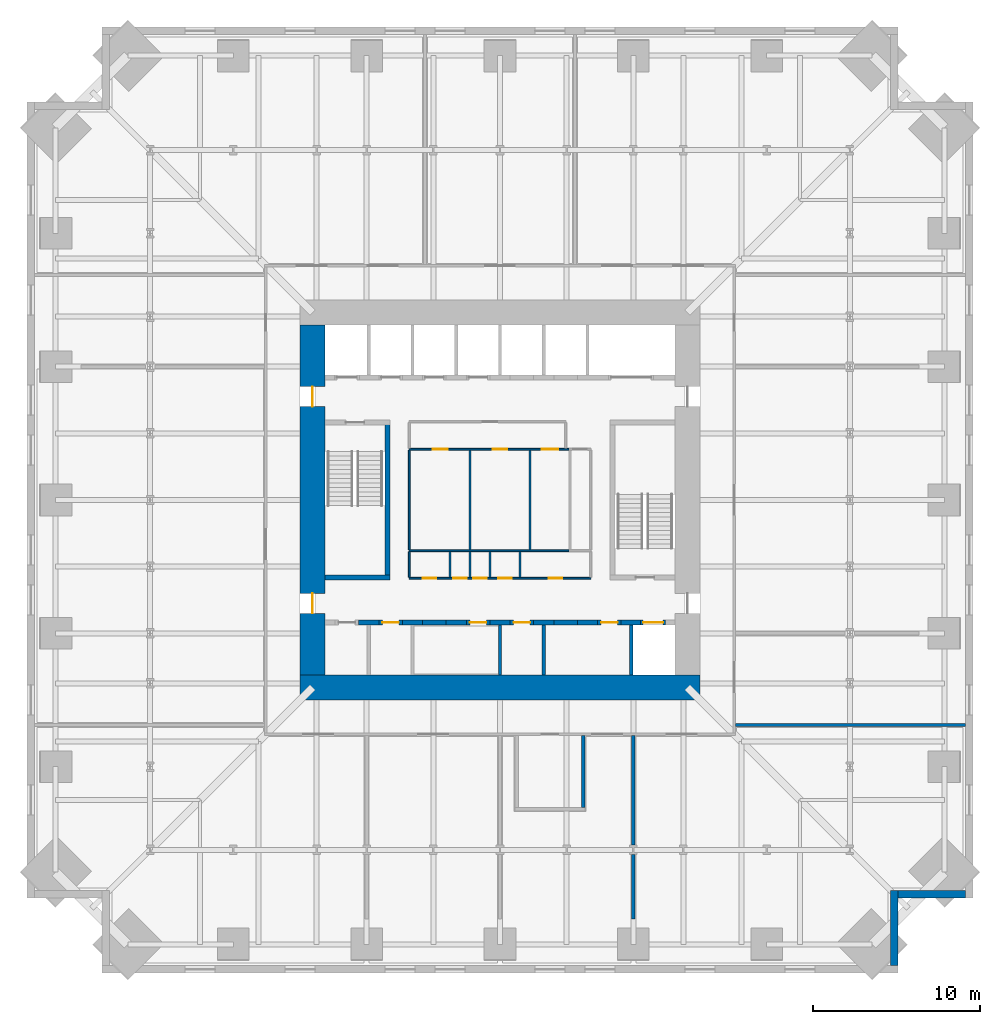
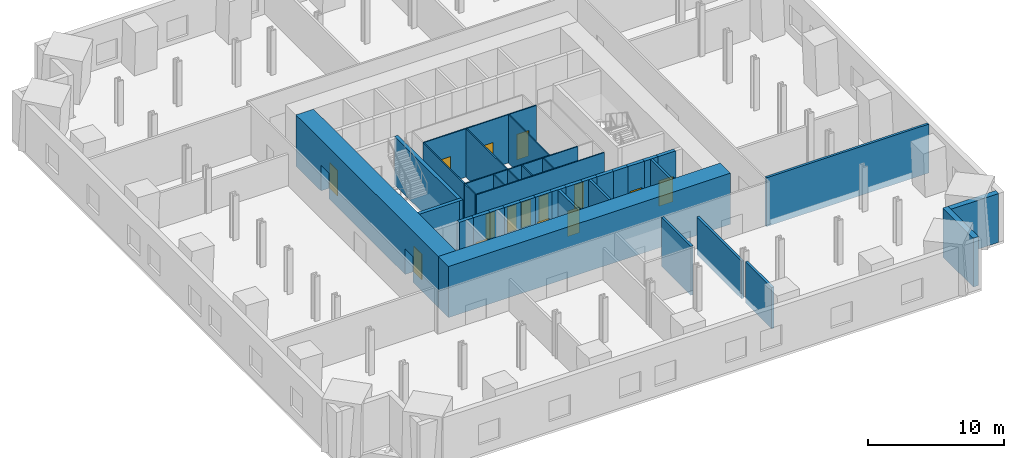
# One storey, part 4 of 8: 38 walls, 15 doors, 15 openings.
"""IFC4 building model written with IfcOpenShell, lengths in metres."""

import ifcopenshell
import ifcopenshell.guid

model = None  # the IFC model being written
_history = None  # IfcOwnerHistory: only IFC2X3 demands one
_inside = {}  # id of a spatial element -> (the spatial element, [elements in it])
_under = {}  # id of a project, library or spatial element -> (it, [spatial elements below it])
_declared = {}  # id of a project -> (the project, [libraries it declares])
_typed = {}  # id of a type object -> (the type object, [elements of that type])
_made_of = {}  # id of a material, layer set ... -> (it, [elements and type objects made of it])


def new_model(schema):
    """Start an empty IFC model of exactly this schema.

    Asked for "IFC4X3", IfcOpenShell would pick the latest addendum, in which some entities
    have other attributes; the version numbers below select the first issue.
    IFC2X3 requires an IfcOwnerHistory on every rooted entity: one is made here for all.
    """
    global model, _history
    if schema == "IFC4X3":
        model = ifcopenshell.file(schema_version=(4, 3, 0, 0))
    else:
        model = ifcopenshell.file(schema=schema)
    _inside.clear()
    _under.clear()
    _declared.clear()
    _typed.clear()
    _made_of.clear()
    _history = None
    if model.schema == "IFC2X3":
        org = make("IfcOrganization", Name="unknown")
        user = make(
            "IfcPersonAndOrganization",
            ThePerson=make("IfcPerson", FamilyName="unknown"),
            TheOrganization=org,
        )
        app = make(
            "IfcApplication",
            ApplicationDeveloper=org,
            Version="unknown",
            ApplicationFullName="unknown",
            ApplicationIdentifier="unknown",
        )
        _history = make(
            "IfcOwnerHistory",
            OwningUser=user,
            OwningApplication=app,
            ChangeAction="ADDED",
            CreationDate=0,
        )
    return model


def make(cls, **values):
    """One entity of the class cls with the attributes given. An attribute that is None is left unset."""
    return model.create_entity(
        cls, **{name: value for name, value in values.items() if value is not None}
    )


def rooted(cls, **values):
    """An entity with a GlobalId (a new one), such as an element, a storey or a relation."""
    return make(cls, GlobalId=ifcopenshell.guid.new(), OwnerHistory=_history, **values)


def si_unit(unit_type, name, prefix=None):
    """IfcSIUnit, for example si_unit("LENGTHUNIT", "METRE", prefix="MILLI")."""
    return make("IfcSIUnit", UnitType=unit_type, Prefix=prefix, Name=name)


def assignment(units):
    """IfcUnitAssignment: the units of a project."""
    return None if units is None else make("IfcUnitAssignment", Units=units)


def point(xyz):
    """IfcCartesianPoint."""
    return None if xyz is None else make("IfcCartesianPoint", Coordinates=xyz)


def direction(xyz):
    """IfcDirection."""
    return None if xyz is None else make("IfcDirection", DirectionRatios=xyz)


def frame(location, z_axis=None, x_axis=None):
    """IfcAxis2Placement3D, a coordinate frame: its origin and axes. An axis left out is left unset."""
    return make(
        "IfcAxis2Placement3D",
        Location=point(location),
        Axis=direction(z_axis),
        RefDirection=direction(x_axis),
    )


def frame_2d(location, x_axis=None):
    """IfcAxis2Placement2D, a coordinate frame in the plane: its origin and x axis."""
    return make(
        "IfcAxis2Placement2D", Location=point(location), RefDirection=direction(x_axis)
    )


def origin():
    """The frame at (0, 0, 0) with its axes left unset."""
    return frame((0.0, 0.0, 0.0))


def place(relative_to, where):
    """IfcLocalPlacement: puts the frame where relative to a parent placement (None: the world)."""
    return make(
        "IfcLocalPlacement", PlacementRelTo=relative_to, RelativePlacement=where
    )


def context(
    kind, dimensions, precision=None, world=None, true_north=None, identifier=None
):
    """IfcGeometricRepresentationContext, for example the 3D "Model" context."""
    return make(
        "IfcGeometricRepresentationContext",
        ContextIdentifier=identifier,
        ContextType=kind,
        CoordinateSpaceDimension=dimensions,
        Precision=precision,
        WorldCoordinateSystem=world,
        TrueNorth=true_north,
    )


def subcontext(parent, identifier, kind, view, scale=None):
    """IfcGeometricRepresentationSubContext, for example "Body" below "Model"."""
    return make(
        "IfcGeometricRepresentationSubContext",
        ContextIdentifier=identifier,
        ContextType=kind,
        ParentContext=parent,
        TargetScale=scale,
        TargetView=view,
    )


def project(units=None, contexts=None):
    """IfcProject with its units and contexts."""
    return rooted(
        "IfcProject",
        Name="project",
        RepresentationContexts=contexts,
        UnitsInContext=assignment(units),
    )


def spatial(cls, under=None, at=None, **own):
    """A site, building, storey or space (cls), placed at a placement, below another one or the project."""
    s = rooted(cls, ObjectPlacement=at, **own)
    if under is not None:
        _under.setdefault(under.id(), (under, []))[1].append(s)
    return s


def profile(cls, at=None, kind="AREA", **sizes):
    """A parametric profile (cls). Its sizes go by their IFC names, for example OverallWidth=200.0."""
    return make(cls, ProfileType=kind, Position=at, **sizes)


def rectangle(**sizes):
    """IfcRectangleProfileDef."""
    return profile("IfcRectangleProfileDef", **sizes)


def extrude(swept, where, along, depth):
    """IfcExtrudedAreaSolid: the profile swept, set in the frame where, extruded along a direction by depth."""
    return make(
        "IfcExtrudedAreaSolid",
        SweptArea=swept,
        Position=where,
        ExtrudedDirection=direction(along),
        Depth=depth,
    )


def shape(context_of_items, identifier, shape_type, items):
    """IfcShapeRepresentation: the items that make up one representation, for example the "Body"."""
    return make(
        "IfcShapeRepresentation",
        ContextOfItems=context_of_items,
        RepresentationIdentifier=identifier,
        RepresentationType=shape_type,
        Items=items,
    )


def material(Name=None, Category=None):
    """IfcMaterial."""
    return make("IfcMaterial", Name=Name, Category=Category)


def layer(
    of_material, thickness, ventilated=None, Name=None, Category=None, Priority=None
):
    """IfcMaterialLayer: one layer of a wall or slab, of a material (None: an air gap)."""
    return make(
        "IfcMaterialLayer",
        Material=of_material,
        LayerThickness=thickness,
        IsVentilated=ventilated,
        Name=Name,
        Category=Category,
        Priority=Priority,
    )


def layer_set(layers, Name=None):
    """IfcMaterialLayerSet."""
    return make("IfcMaterialLayerSet", MaterialLayers=layers, LayerSetName=Name)


def made_of(thing, what):
    """Note that an element or type object is made of a material, layer set ...; save() writes the relation."""
    if what is not None:
        _made_of.setdefault(what.id(), (what, []))[1].append(thing)
    return thing


def type_object(cls, material=None, **own):
    """A type object (cls), such as IfcWallType, which elements share."""
    return made_of(rooted(cls, **own), material)


def element(
    cls,
    number,
    at=None,
    inside=None,
    cuts=None,
    type_object=None,
    material=None,
    context=None,
    identifier="Body",
    shape_type=None,
    held_by="IfcProductDefinitionShape",
    body=None,
    shapes=None,
    **own,
):
    """One element of the class cls, such as IfcWall. Its Tag is "e" and its number.

    at: its placement. inside: the storey or other place that contains it. cuts: it is an
    opening in that element (IfcRelVoidsElement). A single representation is given by context,
    identifier, shape_type and body (its items); several are given by shapes. held_by: the class
    of the entity that holds the representations. save() writes the other relations.
    """
    e = rooted(cls, Tag="e%d" % number, ObjectPlacement=at, **own)
    if body is not None:
        shapes = [shape(context, identifier, shape_type, body)]
    if shapes is not None:
        e.Representation = make(held_by, Representations=shapes)
    if inside is not None:
        _inside.setdefault(inside.id(), (inside, []))[1].append(e)
    if cuts is not None:
        rooted(
            "IfcRelVoidsElement", RelatingBuildingElement=cuts, RelatedOpeningElement=e
        )
    if type_object is not None:
        _typed.setdefault(type_object.id(), (type_object, []))[1].append(e)
    return made_of(e, material)


def fill(opening, filler):
    """IfcRelFillsElement: the door or window that sits in an opening."""
    return rooted(
        "IfcRelFillsElement",
        RelatingOpeningElement=opening,
        RelatedBuildingElement=filler,
    )


def aggregate(whole, parts):
    """IfcRelAggregates: a whole, such as a stair, and the parts it consists of."""
    return rooted("IfcRelAggregates", RelatingObject=whole, RelatedObjects=parts)


def save(model, path):
    """Write the relations noted so far, then the file.

    IfcRelAggregates (storeys below a building ...), IfcRelContainedInSpatialStructure (elements
    in a storey), IfcRelDefinesByType, IfcRelAssociatesMaterial and IfcRelDeclares: one each for
    every whole, place, type object, material and project.
    """
    for whole, parts in _under.values():
        aggregate(whole, parts)
    for where, things in _inside.values():
        rooted(
            "IfcRelContainedInSpatialStructure",
            RelatedElements=things,
            RelatingStructure=where,
        )
    for kind, things in _typed.values():
        rooted("IfcRelDefinesByType", RelatedObjects=things, RelatingType=kind)
    for what, things in _made_of.values():
        rooted("IfcRelAssociatesMaterial", RelatedObjects=things, RelatingMaterial=what)
    for by, libraries in _declared.values():
        rooted("IfcRelDeclares", RelatingContext=by, RelatedDefinitions=libraries)
    model.write(path)


model = new_model("IFC4")

# Units and contexts
model_context = context("Model", 3, precision=1e-05, world=origin(), true_north=direction((0.0, 1.0)))
body_context = subcontext(model_context, "Body", "Model", "MODEL_VIEW")
ifc_project = project(units=[si_unit("LENGTHUNIT", "METRE"), si_unit("AREAUNIT", "SQUARE_METRE"), si_unit("VOLUMEUNIT", "CUBIC_METRE"), si_unit("PLANEANGLEUNIT", "RADIAN"), si_unit("MASSUNIT", "GRAM", prefix="KILO")], contexts=[model_context])

# Site, building, storey
site_placement = place(None, origin())
site = spatial("IfcSite", under=ifc_project, at=site_placement, CompositionType="ELEMENT")
building_placement = place(site_placement, origin())
building = spatial("IfcBuilding", under=site, at=building_placement, Name="Peilmerk Tower", CompositionType="ELEMENT")
storey_placement = place(building_placement, frame((0.0, 0.0, 104.39990234375)))
storey = spatial("IfcBuildingStorey", under=building, at=storey_placement, Name="L20", CompositionType="ELEMENT", Elevation=104.39990234375)

# Walls
ifc_material_1 = material(Name="Precast concrete C45/55, board-marked finish", Category="concrete")
ifc_layer_1 = layer(ifc_material_1, 0.449951171875)
ifc_layer_set_1 = layer_set([ifc_layer_1], Name="Precast concrete C45/55, board-marked finish")
wall_type_1 = type_object("IfcWallType", Name="EW1 450 precast concrete facade wall, board-marked", PredefinedType="SOLIDWALL", material=ifc_layer_set_1)
wall_1_placement = place(storey_placement, frame((23.675048828125, -23.449951171875, 0.0), z_axis=(0.0, 0.0, 1.0), x_axis=(0.0, -1.0, 0.0)))
element("IfcWall", 1, at=wall_1_placement, inside=storey, type_object=wall_type_1, Name="Facade wall SEA L20", PredefinedType="SOLIDWALL", context=body_context, shape_type="SweptSolid", body=[
    extrude(rectangle(XDim=4.5, YDim=0.449951171875, at=frame_2d((2.25, 0.0))), origin(), (0.0, 0.0, 1.0), 4.400146484375),
])
wall_2_placement = place(storey_placement, frame((23.89990234375, -23.675048828125, 0.0), z_axis=(0.0, 0.0, 1.0), x_axis=(1.0, 0.0, 0.0)))
element("IfcWall", 2, at=wall_2_placement, inside=storey, type_object=wall_type_1, Name="Facade wall SEB L20", PredefinedType="SOLIDWALL", context=body_context, shape_type="SweptSolid", body=[
    extrude(rectangle(XDim=4.050048828125, YDim=0.449951171875, at=frame_2d((2.02490234375, 0.0))), origin(), (0.0, 0.0, 1.0), 4.400146484375),
])
ifc_material_2 = material(Name="Calcium silicate block", Category="masonry")
ifc_layer_2 = layer(ifc_material_2, 0.199951171875)
ifc_layer_set_2 = layer_set([ifc_layer_2], Name="Calcium silicate block")
wall_type_2 = type_object("IfcWallType", Name="IW2 200 room separating wall, EI 120", PredefinedType="PARTITIONING", material=ifc_layer_set_2)
wall_3_placement = place(storey_placement, frame((27.949951171875, -13.5, 0.0), z_axis=(0.0, 0.0, 1.0), x_axis=(-1.0, 0.0, 0.0)))
element("IfcWall", 3, at=wall_3_placement, inside=storey, type_object=wall_type_2, Name="Room separating wall SE L20", PredefinedType="PARTITIONING", context=body_context, shape_type="SweptSolid", body=[
    extrude(rectangle(XDim=13.824951171875, YDim=0.199951171875, at=frame_2d((6.91259765625, 0.0))), origin(), (0.0, 0.0, 1.0), 4.400146484375),
])
wall_4_placement = place(storey_placement, frame((8.0, -14.125, 0.0), z_axis=(0.0, 0.0, 1.0), x_axis=(0.0, -1.0, 0.0)))
element("IfcWall", 4, at=wall_4_placement, inside=storey, type_object=wall_type_2, Name="Room separating wall S3 L20", PredefinedType="PARTITIONING", context=body_context, shape_type="SweptSolid", body=[
    extrude(rectangle(XDim=6.590576171875, YDim=0.199951171875, at=frame_2d((3.29541015625, 0.0))), origin(), (0.0, 0.0, 1.0), 3.39208984375),
])
wall_5_placement = place(storey_placement, frame((8.0, -21.284423828125, 0.0), z_axis=(0.0, 0.0, 1.0), x_axis=(0.0, -1.0, 0.0)))
element("IfcWall", 5, at=wall_5_placement, inside=storey, type_object=wall_type_2, Name="Room separating wall S3b L20", PredefinedType="PARTITIONING", context=body_context, shape_type="SweptSolid", body=[
    extrude(rectangle(XDim=3.873779296875, YDim=0.199951171875, at=frame_2d((1.93701171875, 0.0))), origin(), (0.0, 0.0, 1.0), 3.710205078125),
])
wall_6_placement = place(storey_placement, frame((5.0, -14.125, 0.0), z_axis=(0.0, 0.0, 1.0), x_axis=(0.0, -1.0, 0.0)))
element("IfcWall", 6, at=wall_6_placement, inside=storey, type_object=wall_type_2, Name="Room separating wall Operations office L20", PredefinedType="PARTITIONING", context=body_context, shape_type="SweptSolid", body=[
    extrude(rectangle(XDim=4.324951171875, YDim=0.199951171875, at=frame_2d((2.16259765625, 0.0))), origin(), (0.0, 0.0, 1.0), 4.400146484375),
])
ifc_material_3 = material(Name="Concrete C35/45", Category="concrete")
ifc_layer_3 = layer(ifc_material_3, 0.300048828125)
ifc_layer_set_3 = layer_set([ifc_layer_3], Name="Concrete C35/45")
wall_type_3 = type_object("IfcWallType", Name="IW3 300 concrete stair enclosure wall, EI 120", PredefinedType="SOLIDWALL", material=ifc_layer_set_3)
wall_7_placement = place(storey_placement, frame((-6.75, -4.800048828125, 0.0), z_axis=(0.0, 0.0, 1.0), x_axis=(0.0, 1.0, 0.0)))
element("IfcWall", 7, at=wall_7_placement, inside=storey, type_object=wall_type_3, Name="Stair 1 enclosure L20", PredefinedType="SOLIDWALL", context=body_context, shape_type="SweptSolid", body=[
    extrude(rectangle(XDim=9.60009765625, YDim=0.300048828125, at=frame_2d((4.800048828125, 0.0))), origin(), (0.0, 0.0, 1.0), 4.35009765625),
])
wall_8_placement = place(storey_placement, frame((-6.60009765625, -4.64990234375, 0.0), z_axis=(0.0, 0.0, 1.0), x_axis=(-1.0, 0.0, 0.0)))
element("IfcWall", 8, at=wall_8_placement, inside=storey, type_object=wall_type_3, Name="Stair 1 enclosure L20", PredefinedType="SOLIDWALL", context=body_context, shape_type="SweptSolid", body=[
    extrude(rectangle(XDim=3.89990234375, YDim=0.300048828125, at=frame_2d((1.949951171875, 0.0))), origin(), (0.0, 0.0, 1.0), 4.35009765625),
])

# Wall, openings, doors
ifc_material_4 = material(Name="Plasterboard on steel studs", Category="steel")
ifc_layer_4 = layer(ifc_material_4, 0.10009765625)
ifc_layer_set_4 = layer_set([ifc_layer_4], Name="Plasterboard on steel studs")
wall_type_4 = type_object("IfcWallType", Name="IW4 100 WC partition", PredefinedType="PARTITIONING", material=ifc_layer_set_4)
wall_9_placement = place(storey_placement, frame((-5.449951171875, 3.050048828125, 0.0), z_axis=(0.0, 0.0, 1.0), x_axis=(1.0, 0.0, 0.0)))
wall_9 = element("IfcWall", 9, at=wall_9_placement, inside=storey, type_object=wall_type_4, Name="WC wall L20", PredefinedType="PARTITIONING", context=body_context, shape_type="SweptSolid", body=[
    extrude(rectangle(XDim=9.599853515625, YDim=0.10009765625, at=frame_2d((4.7998046875, 0.0))), origin(), (0.0, 0.0, 1.0), 4.35009765625),
])
opening_1_placement = place(wall_9_placement, frame((1.39990234375, 0.0, 0.0)))
opening_1 = element("IfcOpeningElement", 10, at=opening_1_placement, cuts=wall_9, Name="Opening D5", PredefinedType="OPENING", context=body_context, shape_type="SweptSolid", body=[
    extrude(rectangle(XDim=0.89990234375, YDim=2.300048828125, at=frame_2d((0.449951171875, 1.14990234375))), frame((0.0, 0.06005859375, 0.0), z_axis=(0.0, -1.0, 0.0), x_axis=(1.0, 0.0, 0.0)), (0.0, 0.0, 1.0), 0.1201171875),
])
opening_2_placement = place(wall_9_placement, frame((5.0, 0.0, 0.0)))
opening_2 = element("IfcOpeningElement", 11, at=opening_2_placement, cuts=wall_9, Name="Opening D5", PredefinedType="OPENING", context=body_context, shape_type="SweptSolid", body=[
    extrude(rectangle(XDim=0.89990234375, YDim=2.300048828125, at=frame_2d((0.449951171875, 1.14990234375))), frame((0.0, 0.06005859375, 0.0), z_axis=(0.0, -1.0, 0.0), x_axis=(1.0, 0.0, 0.0)), (0.0, 0.0, 1.0), 0.1201171875),
])
opening_3_placement = place(wall_9_placement, frame((7.949951171875, 0.0, 0.0)))
opening_3 = element("IfcOpeningElement", 12, at=opening_3_placement, cuts=wall_9, Name="Opening D6", PredefinedType="OPENING", context=body_context, shape_type="SweptSolid", body=[
    extrude(rectangle(XDim=1.0, YDim=2.300048828125, at=frame_2d((0.5, 1.14990234375))), frame((0.0, 0.06005859375, 0.0), z_axis=(0.0, -1.0, 0.0), x_axis=(1.0, 0.0, 0.0)), (0.0, 0.0, 1.0), 0.1201171875),
])
ifc_material_5 = material(Name="Timber door in steel frame", Category="steel")
door_type_1 = type_object("IfcDoorType", Name="D5 900x2300 WC door", OperationType="SINGLE_SWING_LEFT", PredefinedType="DOOR", material=ifc_material_5)
door_1_placement = place(opening_1_placement, frame((0.89990234375, 0.0, 0.0), z_axis=(0.0, 0.0, 1.0), x_axis=(-1.0, 0.0, 0.0)))
door_1 = element("IfcDoor", 13, at=door_1_placement, inside=storey, type_object=door_type_1, Name="Male toilets door L20", OperationType="SINGLE_SWING_LEFT", OverallHeight=2.300048828125, OverallWidth=0.89990234375, PredefinedType="DOOR", context=body_context, shape_type="SweptSolid", body=[
    extrude(rectangle(XDim=0.89990234375, YDim=2.300048828125, at=frame_2d((0.449951171875, 1.14990234375))), frame((0.0, 0.02490234375, 0.0), z_axis=(0.0, -1.0, 0.0), x_axis=(1.0, 0.0, 0.0)), (0.0, 0.0, 1.0), 0.050048828125),
])
fill(opening_1, door_1)
door_2_placement = place(opening_2_placement, frame((0.89990234375, 0.0, 0.0), z_axis=(0.0, 0.0, 1.0), x_axis=(-1.0, 0.0, 0.0)))
door_2 = element("IfcDoor", 14, at=door_2_placement, inside=storey, type_object=door_type_1, Name="Female toilets door L20", OperationType="SINGLE_SWING_LEFT", OverallHeight=2.300048828125, OverallWidth=0.89990234375, PredefinedType="DOOR", context=body_context, shape_type="SweptSolid", body=[
    extrude(rectangle(XDim=0.89990234375, YDim=2.300048828125, at=frame_2d((0.449951171875, 1.14990234375))), frame((0.0, 0.02490234375, 0.0), z_axis=(0.0, -1.0, 0.0), x_axis=(1.0, 0.0, 0.0)), (0.0, 0.0, 1.0), 0.050048828125),
])
fill(opening_2, door_2)
door_type_2 = type_object("IfcDoorType", Name="D6 1000x2300 accessible WC door", OperationType="SLIDING_TO_LEFT", PredefinedType="DOOR", material=ifc_material_5)
door_3_placement = place(opening_3_placement, frame((1.0, 0.0, 0.0), z_axis=(0.0, 0.0, 1.0), x_axis=(-1.0, 0.0, 0.0)))
door_3 = element("IfcDoor", 15, at=door_3_placement, inside=storey, type_object=door_type_2, Name="Accessible WC door L20", OperationType="SLIDING_TO_LEFT", OverallHeight=2.300048828125, OverallWidth=1.0, PredefinedType="DOOR", context=body_context, shape_type="SweptSolid", body=[
    extrude(rectangle(XDim=1.0, YDim=2.300048828125, at=frame_2d((0.5, 1.14990234375))), frame((0.0, 0.02490234375, 0.0), z_axis=(0.0, -1.0, 0.0), x_axis=(1.0, 0.0, 0.0)), (0.0, 0.0, 1.0), 0.050048828125),
])
fill(opening_3, door_3)

# Walls
wall_10_placement = place(storey_placement, frame((4.14990234375, -3.050048828125, 0.0), z_axis=(0.0, 0.0, 1.0), x_axis=(-1.0, 0.0, 0.0)))
element("IfcWall", 16, at=wall_10_placement, inside=storey, type_object=wall_type_4, Name="WC wall L20", PredefinedType="PARTITIONING", context=body_context, shape_type="SweptSolid", body=[
    extrude(rectangle(XDim=9.599853515625, YDim=0.10009765625, at=frame_2d((4.7998046875, 0.0))), origin(), (0.0, 0.0, 1.0), 4.35009765625),
])
for number, where, z_axis, x_axis, name in (
    (17, (-5.449951171875, -3.0, 0.0), (0.0, 0.0, 1.0), (0.0, 1.0, 0.0), "WC wall L20"),
    (18, (-1.800048828125, -3.0, 0.0), (0.0, 0.0, 1.0), (0.0, 1.0, 0.0), "WC wall L20"),
    (19, (1.800048828125, -3.0, 0.0), (0.0, 0.0, 1.0), (0.0, 1.0, 0.0), "WC wall L20"),
):
    element("IfcWall", number, at=place(storey_placement, frame(where, z_axis=z_axis, x_axis=x_axis)), inside=storey, type_object=wall_type_4, Name=name, PredefinedType="PARTITIONING", context=body_context, shape_type="SweptSolid", body=[
        extrude(rectangle(XDim=6.0, YDim=0.10009765625, at=frame_2d((3.0, 0.0))), origin(), (0.0, 0.0, 1.0), 4.35009765625),
    ])

# Wall, openings, doors
ifc_material_6 = material(Name="Calcium silicate board on steel studs", Category="steel")
ifc_layer_5 = layer(ifc_material_6, 0.10009765625)
ifc_layer_set_5 = layer_set([ifc_layer_5], Name="Calcium silicate board on steel studs")
wall_type_5 = type_object("IfcWallType", Name="IW5 100 riser enclosure wall, EI 60", PredefinedType="PARTITIONING", material=ifc_layer_set_5)
wall_11_placement = place(storey_placement, frame((5.449951171875, -4.699951171875, 0.0), z_axis=(0.0, 0.0, 1.0), x_axis=(-1.0, 0.0, 0.0)))
wall_11 = element("IfcWall", 20, at=wall_11_placement, inside=storey, type_object=wall_type_5, Name="Riser wall L20", PredefinedType="PARTITIONING", context=body_context, shape_type="SweptSolid", body=[
    extrude(rectangle(XDim=10.89990234375, YDim=0.10009765625, at=frame_2d((5.449951171875, 0.0))), origin(), (0.0, 0.0, 1.0), 4.35009765625),
])
opening_4_placement = place(wall_11_placement, frame((9.27490234375, 0.0, 0.0)))
opening_4 = element("IfcOpeningElement", 21, at=opening_4_placement, cuts=wall_11, Name="Opening D7", PredefinedType="OPENING", context=body_context, shape_type="SweptSolid", body=[
    extrude(rectangle(XDim=0.800048828125, YDim=2.300048828125, at=frame_2d((0.39990234375, 1.14990234375))), frame((0.0, 0.06005859375, 0.0), z_axis=(0.0, -1.0, 0.0), x_axis=(1.0, 0.0, 0.0)), (0.0, 0.0, 1.0), 0.1201171875),
])
opening_5_placement = place(wall_11_placement, frame((7.449951171875, 0.0, 0.0)))
opening_5 = element("IfcOpeningElement", 22, at=opening_5_placement, cuts=wall_11, Name="Opening D7", PredefinedType="OPENING", context=body_context, shape_type="SweptSolid", body=[
    extrude(rectangle(XDim=0.800048828125, YDim=2.300048828125, at=frame_2d((0.39990234375, 1.14990234375))), frame((0.0, 0.06005859375, 0.0), z_axis=(0.0, -1.0, 0.0), x_axis=(1.0, 0.0, 0.0)), (0.0, 0.0, 1.0), 0.1201171875),
])
opening_6_placement = place(wall_11_placement, frame((6.25, 0.0, 0.0)))
opening_6 = element("IfcOpeningElement", 23, at=opening_6_placement, cuts=wall_11, Name="Opening D7", PredefinedType="OPENING", context=body_context, shape_type="SweptSolid", body=[
    extrude(rectangle(XDim=0.800048828125, YDim=2.300048828125, at=frame_2d((0.39990234375, 1.14990234375))), frame((0.0, 0.06005859375, 0.0), z_axis=(0.0, -1.0, 0.0), x_axis=(1.0, 0.0, 0.0)), (0.0, 0.0, 1.0), 0.1201171875),
])
opening_7_placement = place(wall_11_placement, frame((4.75, 0.0, 0.0)))
opening_7 = element("IfcOpeningElement", 24, at=opening_7_placement, cuts=wall_11, Name="Opening D7", PredefinedType="OPENING", context=body_context, shape_type="SweptSolid", body=[
    extrude(rectangle(XDim=0.800048828125, YDim=2.300048828125, at=frame_2d((0.39990234375, 1.14990234375))), frame((0.0, 0.06005859375, 0.0), z_axis=(0.0, -1.0, 0.0), x_axis=(1.0, 0.0, 0.0)), (0.0, 0.0, 1.0), 0.1201171875),
])
opening_8_placement = place(wall_11_placement, frame((1.72509765625, 0.0, 0.0)))
opening_8 = element("IfcOpeningElement", 25, at=opening_8_placement, cuts=wall_11, Name="Opening D7", PredefinedType="OPENING", context=body_context, shape_type="SweptSolid", body=[
    extrude(rectangle(XDim=0.800048828125, YDim=2.300048828125, at=frame_2d((0.39990234375, 1.14990234375))), frame((0.0, 0.06005859375, 0.0), z_axis=(0.0, -1.0, 0.0), x_axis=(1.0, 0.0, 0.0)), (0.0, 0.0, 1.0), 0.1201171875),
])
ifc_material_7 = material(Name="Steel door in steel frame", Category="steel")
door_type_3 = type_object("IfcDoorType", Name="D7 800x2300 riser access door, EI2 60", OperationType="SINGLE_SWING_RIGHT", PredefinedType="DOOR", material=ifc_material_7)
door_4_placement = place(opening_4_placement, frame((0.800048828125, 0.0, 0.0), z_axis=(0.0, 0.0, 1.0), x_axis=(-1.0, 0.0, 0.0)))
door_4 = element("IfcDoor", 26, at=door_4_placement, inside=storey, type_object=door_type_3, Name="Electrical room door L20", OperationType="SINGLE_SWING_RIGHT", OverallHeight=2.300048828125, OverallWidth=0.800048828125, PredefinedType="DOOR", context=body_context, shape_type="SweptSolid", body=[
    extrude(rectangle(XDim=0.800048828125, YDim=2.300048828125, at=frame_2d((0.39990234375, 1.14990234375))), frame((0.0, 0.02490234375, 0.0), z_axis=(0.0, -1.0, 0.0), x_axis=(1.0, 0.0, 0.0)), (0.0, 0.0, 1.0), 0.050048828125),
])
fill(opening_4, door_4)
door_5_placement = place(opening_5_placement, frame((0.800048828125, 0.0, 0.0), z_axis=(0.0, 0.0, 1.0), x_axis=(-1.0, 0.0, 0.0)))
door_5 = element("IfcDoor", 27, at=door_5_placement, inside=storey, type_object=door_type_3, Name="Electrical riser door L20", OperationType="SINGLE_SWING_RIGHT", OverallHeight=2.300048828125, OverallWidth=0.800048828125, PredefinedType="DOOR", context=body_context, shape_type="SweptSolid", body=[
    extrude(rectangle(XDim=0.800048828125, YDim=2.300048828125, at=frame_2d((0.39990234375, 1.14990234375))), frame((0.0, 0.02490234375, 0.0), z_axis=(0.0, -1.0, 0.0), x_axis=(1.0, 0.0, 0.0)), (0.0, 0.0, 1.0), 0.050048828125),
])
fill(opening_5, door_5)
door_6_placement = place(opening_6_placement, frame((0.800048828125, 0.0, 0.0), z_axis=(0.0, 0.0, 1.0), x_axis=(-1.0, 0.0, 0.0)))
door_6 = element("IfcDoor", 28, at=door_6_placement, inside=storey, type_object=door_type_3, Name="Data riser door L20", OperationType="SINGLE_SWING_RIGHT", OverallHeight=2.300048828125, OverallWidth=0.800048828125, PredefinedType="DOOR", context=body_context, shape_type="SweptSolid", body=[
    extrude(rectangle(XDim=0.800048828125, YDim=2.300048828125, at=frame_2d((0.39990234375, 1.14990234375))), frame((0.0, 0.02490234375, 0.0), z_axis=(0.0, -1.0, 0.0), x_axis=(1.0, 0.0, 0.0)), (0.0, 0.0, 1.0), 0.050048828125),
])
fill(opening_6, door_6)
door_7_placement = place(opening_7_placement, frame((0.800048828125, 0.0, 0.0), z_axis=(0.0, 0.0, 1.0), x_axis=(-1.0, 0.0, 0.0)))
door_7 = element("IfcDoor", 29, at=door_7_placement, inside=storey, type_object=door_type_3, Name="Cleaner's cupboard door L20", OperationType="SINGLE_SWING_RIGHT", OverallHeight=2.300048828125, OverallWidth=0.800048828125, PredefinedType="DOOR", context=body_context, shape_type="SweptSolid", body=[
    extrude(rectangle(XDim=0.800048828125, YDim=2.300048828125, at=frame_2d((0.39990234375, 1.14990234375))), frame((0.0, 0.02490234375, 0.0), z_axis=(0.0, -1.0, 0.0), x_axis=(1.0, 0.0, 0.0)), (0.0, 0.0, 1.0), 0.050048828125),
])
fill(opening_7, door_7)
door_8_placement = place(opening_8_placement, frame((0.800048828125, 0.0, 0.0), z_axis=(0.0, 0.0, 1.0), x_axis=(-1.0, 0.0, 0.0)))
door_8 = element("IfcDoor", 30, at=door_8_placement, inside=storey, type_object=door_type_3, Name="Comms room door L20", OperationType="SINGLE_SWING_RIGHT", OverallHeight=2.300048828125, OverallWidth=0.800048828125, PredefinedType="DOOR", context=body_context, shape_type="SweptSolid", body=[
    extrude(rectangle(XDim=0.800048828125, YDim=2.300048828125, at=frame_2d((0.39990234375, 1.14990234375))), frame((0.0, 0.02490234375, 0.0), z_axis=(0.0, -1.0, 0.0), x_axis=(1.0, 0.0, 0.0)), (0.0, 0.0, 1.0), 0.050048828125),
])
fill(opening_8, door_8)

# Walls
for number, where, z_axis, x_axis, name in (
    (31, (-5.449951171875, -3.10009765625, 0.0), (0.0, 0.0, 1.0), (0.0, -1.0, 0.0), "Riser wall L20"),
    (32, (-3.0, -3.10009765625, 0.0), (0.0, 0.0, 1.0), (0.0, -1.0, 0.0), "Riser wall L20"),
    (33, (-1.800048828125, -3.10009765625, 0.0), (0.0, 0.0, 1.0), (0.0, -1.0, 0.0), "Riser wall L20"),
    (34, (-0.60009765625, -3.10009765625, 0.0), (0.0, 0.0, 1.0), (0.0, -1.0, 0.0), "Riser wall L20"),
    (35, (1.199951171875, -3.10009765625, 0.0), (0.0, 0.0, 1.0), (0.0, -1.0, 0.0), "Riser wall L20"),
):
    element("IfcWall", number, at=place(storey_placement, frame(where, z_axis=z_axis, x_axis=x_axis)), inside=storey, type_object=wall_type_5, Name=name, PredefinedType="PARTITIONING", context=body_context, shape_type="SweptSolid", body=[
        extrude(rectangle(XDim=1.5498046875, YDim=0.10009765625, at=frame_2d((0.77490234375, 0.0))), origin(), (0.0, 0.0, 1.0), 4.35009765625),
    ])
ifc_layer_6 = layer(ifc_material_2, 0.199951171875)
ifc_layer_set_6 = layer_set([ifc_layer_6], Name="Calcium silicate block")
wall_type_6 = type_object("IfcWallType", Name="SH1 200 shaft dividing wall, EI 120", PredefinedType="PARTITIONING", material=ifc_layer_set_6)
for number, where, z_axis, x_axis, name in (
    (36, (0.0, -10.5, 0.0), (0.0, 0.0, 1.0), (0.0, 1.0, 0.0), "Shaft wall S C1 L20"),
    (37, (2.625, -10.5, 0.0), (0.0, 0.0, 1.0), (0.0, 1.0, 0.0), "Shaft wall S B3 L20"),
    (38, (7.875, -10.5, 0.0), (0.0, 0.0, 1.0), (0.0, 1.0, 0.0), "Shaft wall S B1 L20"),
):
    element("IfcWall", number, at=place(storey_placement, frame(where, z_axis=z_axis, x_axis=x_axis)), inside=storey, type_object=wall_type_6, Name=name, PredefinedType="PARTITIONING", context=body_context, shape_type="SweptSolid", body=[
        extrude(rectangle(XDim=3.0, YDim=0.199951171875, at=frame_2d((1.5, 0.0))), origin(), (0.0, 0.0, 1.0), 4.60009765625),
    ])

# Wall, opening, door
ifc_layer_7 = layer(ifc_material_2, 0.300048828125)
ifc_layer_set_7 = layer_set([ifc_layer_7], Name="Calcium silicate block")
wall_type_7 = type_object("IfcWallType", Name="SH2 300 lift landing door panel, EI 120", PredefinedType="PARTITIONING", material=ifc_layer_set_7)
wall_12_placement = place(storey_placement, frame((-7.262451171875, -7.35009765625, 0.0), z_axis=(0.0, 0.0, 1.0), x_axis=(1.0, 0.0, 0.0)))
wall_12 = element("IfcWall", 39, at=wall_12_placement, inside=storey, type_object=wall_type_7, Name="Lift door panel S C3 L20", PredefinedType="PARTITIONING", context=body_context, shape_type="SweptSolid", body=[
    extrude(rectangle(XDim=1.39990234375, YDim=0.300048828125, at=frame_2d((0.699951171875, 0.0))), origin(), (0.0, 0.0, 1.0), 4.60009765625),
])
opening_9_placement = place(wall_12_placement, frame((0.199951171875, 0.0, 0.0)))
opening_9 = element("IfcOpeningElement", 40, at=opening_9_placement, cuts=wall_12, Name="Opening D10", PredefinedType="OPENING", context=body_context, shape_type="SweptSolid", body=[
    extrude(rectangle(XDim=1.0, YDim=2.300048828125, at=frame_2d((0.5, 1.14990234375))), frame((0.0, 0.159912109375, 0.0), z_axis=(0.0, -1.0, 0.0), x_axis=(1.0, 0.0, 0.0)), (0.0, 0.0, 1.0), 0.320068359375),
])
door_type_4 = type_object("IfcDoorType", Name="D10 1000x2300 core room door, EI2 60", OperationType="SINGLE_SWING_RIGHT", PredefinedType="DOOR", material=ifc_material_7)
door_9_placement = place(opening_9_placement, frame((1.0, 0.0, 0.0), z_axis=(0.0, 0.0, 1.0), x_axis=(-1.0, 0.0, 0.0)))
door_9 = element("IfcDoor", 41, at=door_9_placement, inside=storey, type_object=door_type_4, Name="Door Water meter room L20", OperationType="SINGLE_SWING_RIGHT", OverallHeight=2.300048828125, OverallWidth=1.0, PredefinedType="DOOR", context=body_context, shape_type="SweptSolid", body=[
    extrude(rectangle(XDim=1.0, YDim=2.300048828125, at=frame_2d((0.5, 1.14990234375))), frame((0.0, 0.02490234375, 0.0), z_axis=(0.0, -1.0, 0.0), x_axis=(1.0, 0.0, 0.0)), (0.0, 0.0, 1.0), 0.050048828125),
])
fill(opening_9, door_9)

# Wall
wall_13_placement = place(storey_placement, frame((-4.637451171875, -7.35009765625, 0.0), z_axis=(0.0, 0.0, 1.0), x_axis=(1.0, 0.0, 0.0)))
element("IfcWall", 42, at=wall_13_placement, inside=storey, type_object=wall_type_7, Name="Lift door panel S C2 L20", PredefinedType="PARTITIONING", context=body_context, shape_type="SweptSolid", body=[
    extrude(rectangle(XDim=1.39990234375, YDim=0.300048828125, at=frame_2d((0.699951171875, 0.0))), origin(), (0.0, 0.0, 1.0), 4.60009765625),
])

# Wall, opening, door
wall_14_placement = place(storey_placement, frame((-2.012451171875, -7.35009765625, 0.0), z_axis=(0.0, 0.0, 1.0), x_axis=(1.0, 0.0, 0.0)))
wall_14 = element("IfcWall", 43, at=wall_14_placement, inside=storey, type_object=wall_type_7, Name="Lift door panel S C1 L20", PredefinedType="PARTITIONING", context=body_context, shape_type="SweptSolid", body=[
    extrude(rectangle(XDim=1.39990234375, YDim=0.300048828125, at=frame_2d((0.699951171875, 0.0))), origin(), (0.0, 0.0, 1.0), 4.60009765625),
])
opening_10_placement = place(wall_14_placement, frame((0.199951171875, 0.0, 0.0)))
opening_10 = element("IfcOpeningElement", 44, at=opening_10_placement, cuts=wall_14, Name="Opening D10", PredefinedType="OPENING", context=body_context, shape_type="SweptSolid", body=[
    extrude(rectangle(XDim=1.0, YDim=2.300048828125, at=frame_2d((0.5, 1.14990234375))), frame((0.0, 0.159912109375, 0.0), z_axis=(0.0, -1.0, 0.0), x_axis=(1.0, 0.0, 0.0)), (0.0, 0.0, 1.0), 0.320068359375),
])
door_10_placement = place(opening_10_placement, frame((1.0, 0.0, 0.0), z_axis=(0.0, 0.0, 1.0), x_axis=(-1.0, 0.0, 0.0)))
door_10 = element("IfcDoor", 45, at=door_10_placement, inside=storey, type_object=door_type_4, Name="Door Back-of-house office L20", OperationType="SINGLE_SWING_RIGHT", OverallHeight=2.300048828125, OverallWidth=1.0, PredefinedType="DOOR", context=body_context, shape_type="SweptSolid", body=[
    extrude(rectangle(XDim=1.0, YDim=2.300048828125, at=frame_2d((0.5, 1.14990234375))), frame((0.0, 0.02490234375, 0.0), z_axis=(0.0, -1.0, 0.0), x_axis=(1.0, 0.0, 0.0)), (0.0, 0.0, 1.0), 0.050048828125),
])
fill(opening_10, door_10)

wall_15_placement = place(storey_placement, frame((0.612548828125, -7.35009765625, 0.0), z_axis=(0.0, 0.0, 1.0), x_axis=(1.0, 0.0, 0.0)))
wall_15 = element("IfcWall", 46, at=wall_15_placement, inside=storey, type_object=wall_type_7, Name="Lift door panel S B3 L20", PredefinedType="PARTITIONING", context=body_context, shape_type="SweptSolid", body=[
    extrude(rectangle(XDim=1.39990234375, YDim=0.300048828125, at=frame_2d((0.699951171875, 0.0))), origin(), (0.0, 0.0, 1.0), 4.60009765625),
])
opening_11_placement = place(wall_15_placement, frame((0.199951171875, 0.0, 0.0)))
opening_11 = element("IfcOpeningElement", 47, at=opening_11_placement, cuts=wall_15, Name="Opening D10", PredefinedType="OPENING", context=body_context, shape_type="SweptSolid", body=[
    extrude(rectangle(XDim=1.0, YDim=2.300048828125, at=frame_2d((0.5, 1.14990234375))), frame((0.0, 0.159912109375, 0.0), z_axis=(0.0, -1.0, 0.0), x_axis=(1.0, 0.0, 0.0)), (0.0, 0.0, 1.0), 0.320068359375),
])
door_11_placement = place(opening_11_placement, frame((1.0, 0.0, 0.0), z_axis=(0.0, 0.0, 1.0), x_axis=(-1.0, 0.0, 0.0)))
door_11 = element("IfcDoor", 48, at=door_11_placement, inside=storey, type_object=door_type_4, Name="Door Staff WC L20", OperationType="SINGLE_SWING_RIGHT", OverallHeight=2.300048828125, OverallWidth=1.0, PredefinedType="DOOR", context=body_context, shape_type="SweptSolid", body=[
    extrude(rectangle(XDim=1.0, YDim=2.300048828125, at=frame_2d((0.5, 1.14990234375))), frame((0.0, 0.02490234375, 0.0), z_axis=(0.0, -1.0, 0.0), x_axis=(1.0, 0.0, 0.0)), (0.0, 0.0, 1.0), 0.050048828125),
])
fill(opening_11, door_11)

# Wall
wall_16_placement = place(storey_placement, frame((3.237548828125, -7.35009765625, 0.0), z_axis=(0.0, 0.0, 1.0), x_axis=(1.0, 0.0, 0.0)))
element("IfcWall", 49, at=wall_16_placement, inside=storey, type_object=wall_type_7, Name="Lift door panel S B2 L20", PredefinedType="PARTITIONING", context=body_context, shape_type="SweptSolid", body=[
    extrude(rectangle(XDim=1.39990234375, YDim=0.300048828125, at=frame_2d((0.699951171875, 0.0))), origin(), (0.0, 0.0, 1.0), 4.60009765625),
])

# Wall, opening, door
wall_17_placement = place(storey_placement, frame((5.862548828125, -7.35009765625, 0.0), z_axis=(0.0, 0.0, 1.0), x_axis=(1.0, 0.0, 0.0)))
wall_17 = element("IfcWall", 50, at=wall_17_placement, inside=storey, type_object=wall_type_7, Name="Lift door panel S B1 L20", PredefinedType="PARTITIONING", context=body_context, shape_type="SweptSolid", body=[
    extrude(rectangle(XDim=1.39990234375, YDim=0.300048828125, at=frame_2d((0.699951171875, 0.0))), origin(), (0.0, 0.0, 1.0), 4.60009765625),
])
opening_12_placement = place(wall_17_placement, frame((0.199951171875, 0.0, 0.0)))
opening_12 = element("IfcOpeningElement", 51, at=opening_12_placement, cuts=wall_17, Name="Opening D10", PredefinedType="OPENING", context=body_context, shape_type="SweptSolid", body=[
    extrude(rectangle(XDim=1.0, YDim=2.300048828125, at=frame_2d((0.5, 1.14990234375))), frame((0.0, 0.159912109375, 0.0), z_axis=(0.0, -1.0, 0.0), x_axis=(1.0, 0.0, 0.0)), (0.0, 0.0, 1.0), 0.320068359375),
])
door_12_placement = place(opening_12_placement, frame((1.0, 0.0, 0.0), z_axis=(0.0, 0.0, 1.0), x_axis=(-1.0, 0.0, 0.0)))
door_12 = element("IfcDoor", 52, at=door_12_placement, inside=storey, type_object=door_type_4, Name="Door Vending room L20", OperationType="SINGLE_SWING_RIGHT", OverallHeight=2.300048828125, OverallWidth=1.0, PredefinedType="DOOR", context=body_context, shape_type="SweptSolid", body=[
    extrude(rectangle(XDim=1.0, YDim=2.300048828125, at=frame_2d((0.5, 1.14990234375))), frame((0.0, 0.02490234375, 0.0), z_axis=(0.0, -1.0, 0.0), x_axis=(1.0, 0.0, 0.0)), (0.0, 0.0, 1.0), 0.050048828125),
])
fill(opening_12, door_12)

wall_18_placement = place(storey_placement, frame((8.4375, -7.35009765625, 0.0), z_axis=(0.0, 0.0, 1.0), x_axis=(1.0, 0.0, 0.0)))
wall_18 = element("IfcWall", 53, at=wall_18_placement, inside=storey, type_object=wall_type_7, Name="Lift door panel S FL2 L20", PredefinedType="PARTITIONING", context=body_context, shape_type="SweptSolid", body=[
    extrude(rectangle(XDim=1.5, YDim=0.300048828125, at=frame_2d((0.75, 0.0))), origin(), (0.0, 0.0, 1.0), 4.60009765625),
])
opening_13_placement = place(wall_18_placement, frame((0.14990234375, 0.0, 0.0)))
opening_13 = element("IfcOpeningElement", 54, at=opening_13_placement, cuts=wall_18, Name="Opening LD2", PredefinedType="OPENING", context=body_context, shape_type="SweptSolid", body=[
    extrude(rectangle(XDim=1.199951171875, YDim=2.300048828125, at=frame_2d((0.60009765625, 1.14990234375))), frame((0.0, 0.159912109375, 0.0), z_axis=(0.0, -1.0, 0.0), x_axis=(1.0, 0.0, 0.0)), (0.0, 0.0, 1.0), 0.320068359375),
])
ifc_material_8 = material(Name="Stainless steel landing door", Category="steel")
door_type_5 = type_object("IfcDoorType", Name="LD2 1200x2300 lift landing door, sliding, EI2 60", OperationType="SLIDING_TO_LEFT", PredefinedType="DOOR", material=ifc_material_8)
door_13_placement = place(opening_13_placement, origin())
door_13 = element("IfcDoor", 55, at=door_13_placement, inside=storey, type_object=door_type_5, Name="Lift landing door FL2 L20", OperationType="SLIDING_TO_LEFT", OverallHeight=2.300048828125, OverallWidth=1.199951171875, PredefinedType="DOOR", context=body_context, shape_type="SweptSolid", body=[
    extrude(rectangle(XDim=1.199951171875, YDim=2.300048828125, at=frame_2d((0.60009765625, 1.14990234375))), frame((0.0, 0.02490234375, 0.0), z_axis=(0.0, -1.0, 0.0), x_axis=(1.0, 0.0, 0.0)), (0.0, 0.0, 1.0), 0.050048828125),
])
fill(opening_13, door_13)

# Wall
ifc_material_9 = material(Name="Concrete C55/67", Category="concrete")
ifc_layer_8 = layer(ifc_material_9, 1.5)
ifc_layer_set_8 = layer_set([ifc_layer_8], Name="Concrete C55/67")
wall_type_8 = type_object("IfcWallType", Name="SW1 1500 core wall", PredefinedType="SHEAR", material=ifc_layer_set_8)
wall_19_placement = place(storey_placement, frame((12.0, -11.25, 0.0), z_axis=(0.0, 0.0, 1.0), x_axis=(-1.0, 0.0, 0.0)))
element("IfcWall", 56, at=wall_19_placement, inside=storey, type_object=wall_type_8, Name="Core wall S L20", PredefinedType="SHEAR", context=body_context, shape_type="SweptSolid", body=[
    extrude(rectangle(XDim=24.0, YDim=1.5, at=frame_2d((12.0, 0.0))), origin(), (0.0, 0.0, 1.0), 4.60009765625),
])

# Wall, openings, doors
wall_20_placement = place(storey_placement, frame((-11.25, -10.5, 0.0), z_axis=(0.0, 0.0, 1.0), x_axis=(0.0, 1.0, 0.0)))
wall_20 = element("IfcWall", 57, at=wall_20_placement, inside=storey, type_object=wall_type_8, Name="Core wall W L20", PredefinedType="SHEAR", context=body_context, shape_type="SweptSolid", body=[
    extrude(rectangle(XDim=21.0, YDim=1.5, at=frame_2d((10.5, 0.0))), origin(), (0.0, 0.0, 1.0), 4.60009765625),
])
opening_14_placement = place(wall_20_placement, frame((16.10009765625, 0.0, 0.0)))
opening_14 = element("IfcOpeningElement", 58, at=opening_14_placement, cuts=wall_20, Name="Opening D3", PredefinedType="OPENING", context=body_context, shape_type="SweptSolid", body=[
    extrude(rectangle(XDim=1.199951171875, YDim=2.300048828125, at=frame_2d((0.60009765625, 1.14990234375))), frame((0.0, 0.760009765625, 0.0), z_axis=(0.0, -1.0, 0.0), x_axis=(1.0, 0.0, 0.0)), (0.0, 0.0, 1.0), 1.52001953125),
])
opening_15_placement = place(wall_20_placement, frame((3.699951171875, 0.0, 0.0)))
opening_15 = element("IfcOpeningElement", 59, at=opening_15_placement, cuts=wall_20, Name="Opening D3", PredefinedType="OPENING", context=body_context, shape_type="SweptSolid", body=[
    extrude(rectangle(XDim=1.199951171875, YDim=2.300048828125, at=frame_2d((0.60009765625, 1.14990234375))), frame((0.0, 0.760009765625, 0.0), z_axis=(0.0, -1.0, 0.0), x_axis=(1.0, 0.0, 0.0)), (0.0, 0.0, 1.0), 1.52001953125),
])
door_type_6 = type_object("IfcDoorType", Name="D3 1200x2300 core door, EI2 60", OperationType="SINGLE_SWING_LEFT", PredefinedType="DOOR", material=ifc_material_7)
door_14_placement = place(opening_14_placement, frame((1.199951171875, 0.0, 0.0), z_axis=(0.0, 0.0, 1.0), x_axis=(-1.0, 0.0, 0.0)))
door_14 = element("IfcDoor", 60, at=door_14_placement, inside=storey, type_object=door_type_6, Name="Core door L20", OperationType="SINGLE_SWING_LEFT", OverallHeight=2.300048828125, OverallWidth=1.199951171875, PredefinedType="DOOR", context=body_context, shape_type="SweptSolid", body=[
    extrude(rectangle(XDim=1.199951171875, YDim=2.300048828125, at=frame_2d((0.60009765625, 1.14990234375))), frame((0.0, 0.02490234375, 0.0), z_axis=(0.0, -1.0, 0.0), x_axis=(1.0, 0.0, 0.0)), (0.0, 0.0, 1.0), 0.050048828125),
])
fill(opening_14, door_14)
door_15_placement = place(opening_15_placement, frame((1.199951171875, 0.0, 0.0), z_axis=(0.0, 0.0, 1.0), x_axis=(-1.0, 0.0, 0.0)))
door_15 = element("IfcDoor", 61, at=door_15_placement, inside=storey, type_object=door_type_6, Name="Core door L20", OperationType="SINGLE_SWING_LEFT", OverallHeight=2.300048828125, OverallWidth=1.199951171875, PredefinedType="DOOR", context=body_context, shape_type="SweptSolid", body=[
    extrude(rectangle(XDim=1.199951171875, YDim=2.300048828125, at=frame_2d((0.60009765625, 1.14990234375))), frame((0.0, 0.02490234375, 0.0), z_axis=(0.0, -1.0, 0.0), x_axis=(1.0, 0.0, 0.0)), (0.0, 0.0, 1.0), 0.050048828125),
])
fill(opening_15, door_15)

# Walls
ifc_layer_9 = layer(ifc_material_9, 0.300048828125)
ifc_layer_set_9 = layer_set([ifc_layer_9], Name="Concrete C55/67")
wall_type_9 = type_object("IfcWallType", Name="SW2 300 lift bank pier", PredefinedType="SHEAR", material=ifc_layer_set_9)
for number, where, z_axis, x_axis, name in (
    (62, (-8.487548828125, -7.35009765625, 0.0), (0.0, 0.0, 1.0), (1.0, 0.0, 0.0), "Lift bank pier S L20"),
    (63, (-5.862548828125, -7.35009765625, 0.0), (0.0, 0.0, 1.0), (1.0, 0.0, 0.0), "Lift bank pier S L20"),
    (64, (-3.237548828125, -7.35009765625, 0.0), (0.0, 0.0, 1.0), (1.0, 0.0, 0.0), "Lift bank pier S L20"),
    (65, (-0.612548828125, -7.35009765625, 0.0), (0.0, 0.0, 1.0), (1.0, 0.0, 0.0), "Lift bank pier S L20"),
    (66, (2.012451171875, -7.35009765625, 0.0), (0.0, 0.0, 1.0), (1.0, 0.0, 0.0), "Lift bank pier S L20"),
    (67, (4.637451171875, -7.35009765625, 0.0), (0.0, 0.0, 1.0), (1.0, 0.0, 0.0), "Lift bank pier S L20"),
):
    element("IfcWall", number, at=place(storey_placement, frame(where, z_axis=z_axis, x_axis=x_axis)), inside=storey, type_object=wall_type_9, Name=name, PredefinedType="SHEAR", context=body_context, shape_type="SweptSolid", body=[
        extrude(rectangle(XDim=1.22509765625, YDim=0.300048828125, at=frame_2d((0.612548828125, 0.0))), origin(), (0.0, 0.0, 1.0), 4.60009765625),
    ])
wall_21_placement = place(storey_placement, frame((7.262451171875, -7.35009765625, 0.0), z_axis=(0.0, 0.0, 1.0), x_axis=(1.0, 0.0, 0.0)))
element("IfcWall", 68, at=wall_21_placement, inside=storey, type_object=wall_type_9, Name="Lift bank pier S L20", PredefinedType="SHEAR", context=body_context, shape_type="SweptSolid", body=[
    extrude(rectangle(XDim=1.175048828125, YDim=0.300048828125, at=frame_2d((0.58740234375, 0.0))), origin(), (0.0, 0.0, 1.0), 4.60009765625),
])

save(model, "model.ifc")
